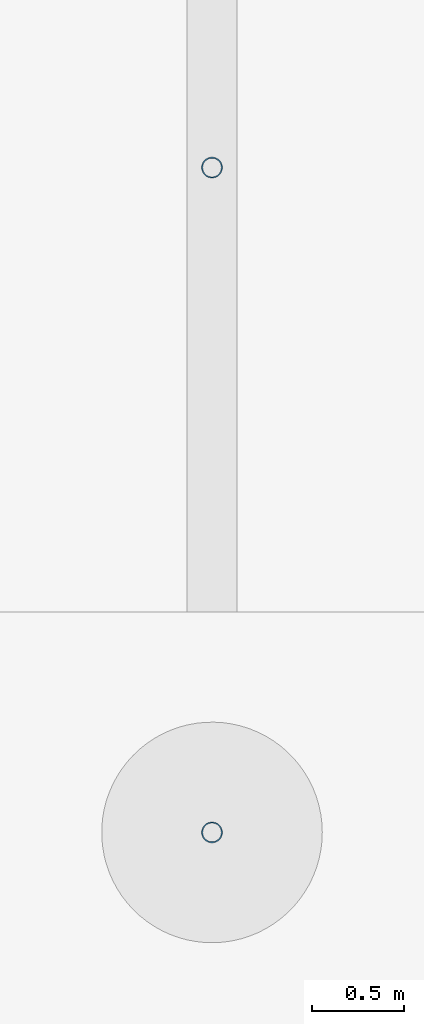
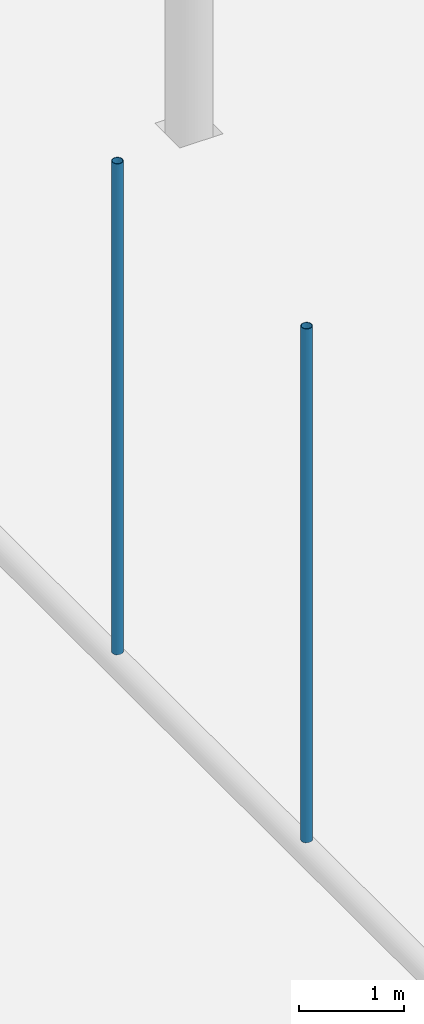
# One storey, part 71 of 212: 2 members.
"""IFC4 building model written with IfcOpenShell, lengths in metres."""

from ifc_helpers import new_model, si_unit, direction, frame, origin, origin_2d, place, context, subcontext, project, spatial, hollow_circle, extrude, material, material_profile, profile_set, type_object, element, save


model = new_model("IFC4")

# Units and contexts
model_context = context("Model", 3, precision=1e-05, world=origin(), true_north=direction((0.0, 1.0)))
body_context = subcontext(model_context, "Body", "Model", "MODEL_VIEW")
ifc_project = project(units=[si_unit("LENGTHUNIT", "METRE"), si_unit("AREAUNIT", "SQUARE_METRE"), si_unit("VOLUMEUNIT", "CUBIC_METRE"), si_unit("PLANEANGLEUNIT", "RADIAN"), si_unit("MASSUNIT", "GRAM", prefix="KILO")], contexts=[model_context])

# Site, building, storey
site_placement = place(None, origin())
site = spatial("IfcSite", under=ifc_project, at=site_placement, CompositionType="ELEMENT")
building_placement = place(site_placement, origin())
building = spatial("IfcBuilding", under=site, at=building_placement, Name="Catenary Quay Ferry Terminal", CompositionType="ELEMENT")
storey_placement = place(building_placement, origin())
storey = spatial("IfcBuildingStorey", under=building, at=storey_placement, Name="L00", CompositionType="ELEMENT", Elevation=0.0)

# Members
ifc_material = material(Name="Steel S355", Category="steel")
ifc_material_profile = material_profile(ifc_material, hollow_circle(Radius=0.05712890625, WallThickness=0.00634765625, at=origin_2d()), Name="CHS 114.3x6.3")
ifc_profile_set = profile_set([ifc_material_profile], Name="Steel S355")
member_type = type_object("IfcMemberType", Name="HG1 CHS 114.3x6.3", PredefinedType="POST", material=ifc_profile_set)
member_1_placement = place(storey_placement, frame((84.0, 33.60009765625, 4.830078125), z_axis=(0.0, 0.0, 1.0), x_axis=(1.0, 0.0, 0.0)))
element("IfcMember", 1, at=member_1_placement, inside=storey, type_object=member_type, Name="Hanger CA-09-05", PredefinedType="POST", context=body_context, shape_type="SweptSolid", body=[
    extrude(hollow_circle(Radius=0.05712890625, WallThickness=0.00634765625, at=origin_2d()), origin(), (0.0, 0.0, 1.0), 5.997802734375),
])
member_2_placement = place(storey_placement, frame((84.0, 37.218017578125, 4.830078125), z_axis=(0.0, 0.0, 1.0), x_axis=(1.0, 0.0, 0.0)))
element("IfcMember", 2, at=member_2_placement, inside=storey, type_object=member_type, Name="Hanger CA-09-06", PredefinedType="POST", context=body_context, shape_type="SweptSolid", body=[
    extrude(hollow_circle(Radius=0.05712890625, WallThickness=0.00634765625, at=origin_2d()), origin(), (0.0, 0.0, 1.0), 5.72998046875),
])

save(model, "model.ifc")
